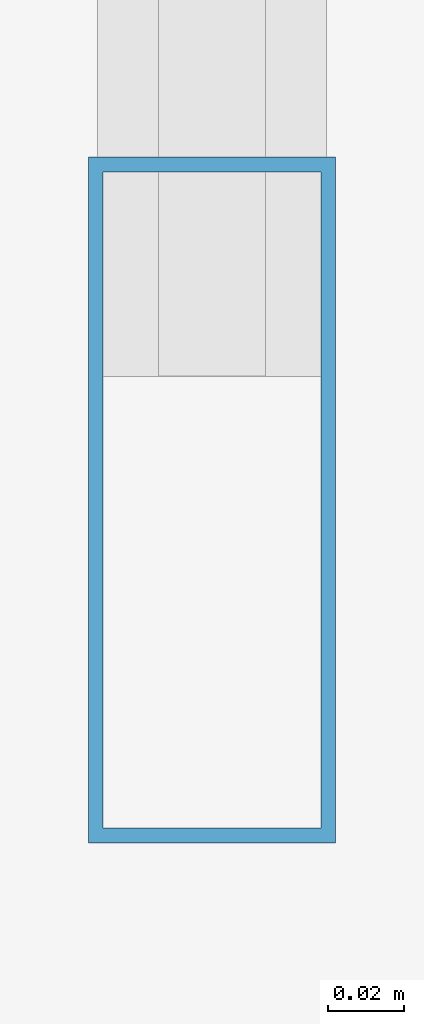
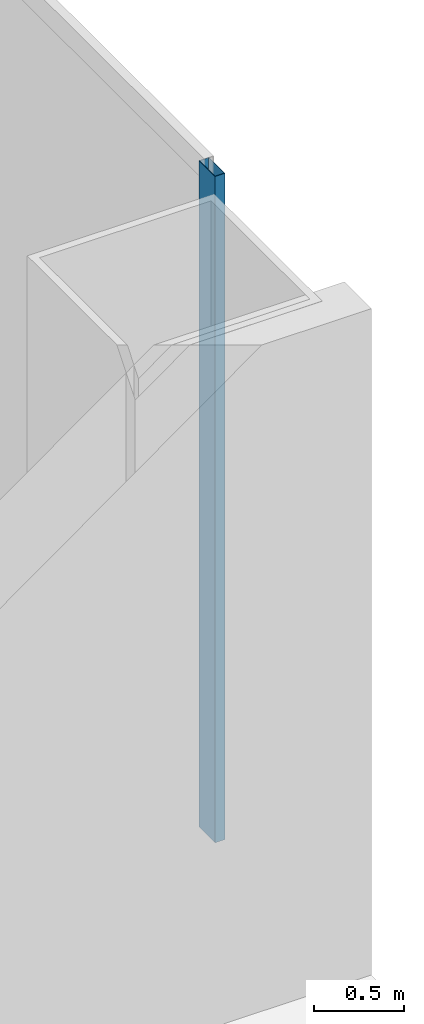
# One storey, part 17 of 58: 1 member, 1 element without a shape of its own.
"""IFC4 building model written with IfcOpenShell, lengths in metres."""

from ifc_helpers import new_model, si_unit, direction, frame, origin, origin_2d, place, context, subcontext, project, spatial, hollow_rectangle, extrude, source, transform, mapped, material, layer, layer_set, material_profile, profile_set, type_object, element, aggregate, save


model = new_model("IFC4")

# Units and contexts
model_context = context("Model", 3, precision=1e-05, world=origin(), true_north=direction((0.0, 1.0)))
body_context = subcontext(model_context, "Body", "Model", "MODEL_VIEW")
ifc_project = project(units=[si_unit("LENGTHUNIT", "METRE"), si_unit("AREAUNIT", "SQUARE_METRE"), si_unit("VOLUMEUNIT", "CUBIC_METRE"), si_unit("PLANEANGLEUNIT", "RADIAN"), si_unit("MASSUNIT", "GRAM", prefix="KILO"), si_unit("THERMODYNAMICTEMPERATUREUNIT", "KELVIN"), si_unit("POWERUNIT", "WATT")], contexts=[model_context])

# Site, building, storey
site_placement = place(None, origin())
site = spatial("IfcSite", under=ifc_project, at=site_placement, CompositionType="ELEMENT")
building_placement = place(site_placement, origin())
building = spatial("IfcBuilding", under=site, at=building_placement, Name="Yunzhuo Pagoda Commons", CompositionType="ELEMENT")
storey_placement = place(building_placement, origin())
storey = spatial("IfcBuildingStorey", under=building, at=storey_placement, Name="L01", CompositionType="ELEMENT", Elevation=0.0)

# Curtain wall, member
ifc_material = material(Name="Anodized aluminium 6063-T6", Category="aluminium")
ifc_layer = layer(ifc_material, 0.179931640625)
ifc_layer_set = layer_set([ifc_layer], Name="Anodized aluminium 6063-T6")
curtain_wall_type = type_object("IfcCurtainWallType", Name="CW-POD Waterfront Podium Curtain Wall", PredefinedType="NOTDEFINED", material=ifc_layer_set)
curtain_wall_placement = place(storey_placement, origin())
curtain_wall = element("IfcCurtainWall", 1, at=curtain_wall_placement, inside=storey, type_object=curtain_wall_type, Name="L01 curtain wall CW-L01-E1", PredefinedType="NOTDEFINED")
ifc_material_profile = material_profile(ifc_material, hollow_rectangle(XDim=0.06494140625, YDim=0.179931640625, WallThickness=0.00390625, at=origin_2d()), Name="Anodized aluminium 6063-T6")
ifc_profile_set = profile_set([ifc_material_profile], Name="Anodized aluminium 6063-T6")
member_type = type_object("IfcMemberType", Name="CW-POD-M Mullion RHS 180x65x4", PredefinedType="MULLION", material=ifc_profile_set)
shared_shape = source(origin(), body_context, "Body", "SweptSolid", [
    extrude(hollow_rectangle(XDim=0.06494140625, YDim=0.179931640625, WallThickness=0.00390625, at=origin_2d()), origin(), (0.0, 0.0, 1.0), 4.520263671875),
])
member_placement = place(storey_placement, frame((91.919921875, 7.632568359375, 0.0), z_axis=(0.0, 0.0, 1.0), x_axis=(-1.0, 0.0, 0.0)))
member = element("IfcMember", 2, at=member_placement, type_object=member_type, Name="CW mullion 1", PredefinedType="MULLION", context=body_context, shape_type="MappedRepresentation", body=[
    mapped(shared_shape, transform((0.0, 0.0, 0.0), scale=1.0)),
])
aggregate(curtain_wall, [member])

save(model, "model.ifc")
